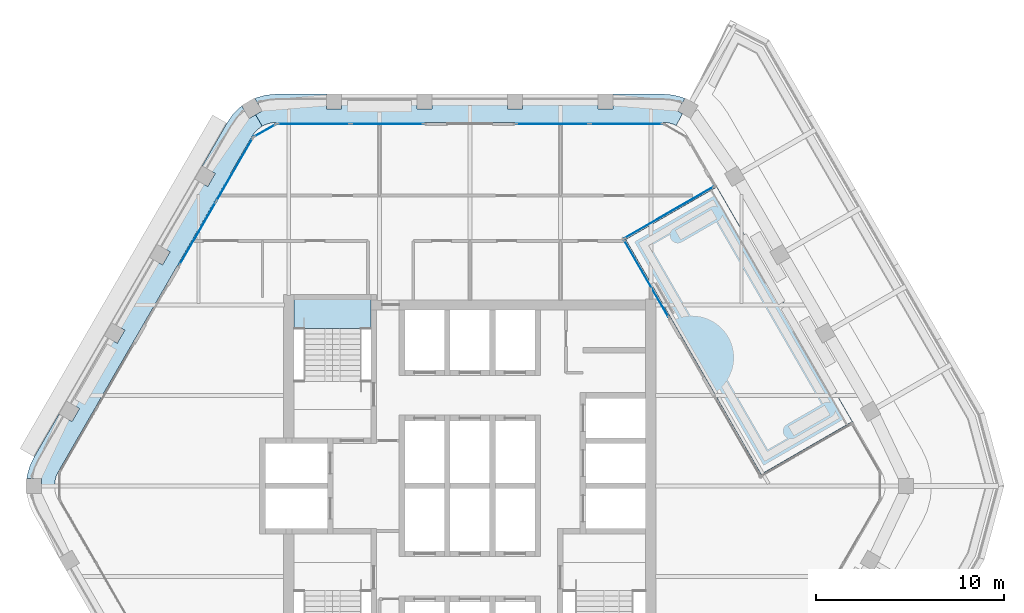
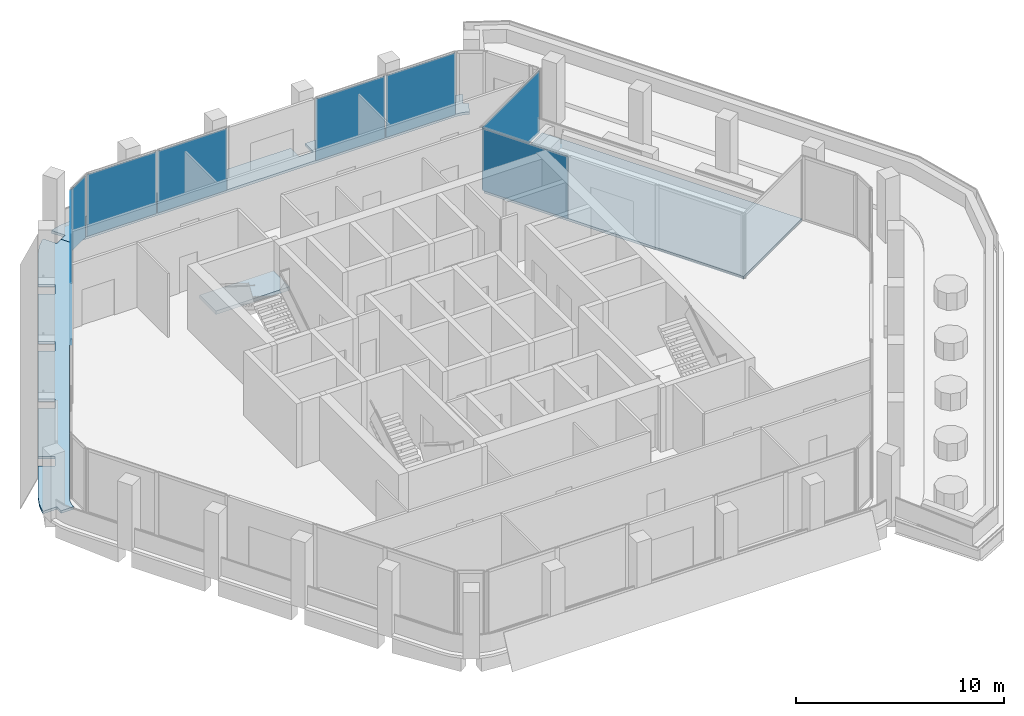
# One storey, part 9 of 17: 9 plates, 4 slabs, 7 elements without a shape of their own.
"""IFC4 building model written with IfcOpenShell, lengths in metres."""

from ifc_helpers import new_model, si_unit, direction, frame, origin, origin_2d, place, context, subcontext, project, spatial, polyline, rectangle, outline, extrude, material, layer, layer_set, type_object, element, aggregate, save


model = new_model("IFC4")

# Units and contexts
model_context = context("Model", 3, precision=1e-05, world=origin(), true_north=direction((0.0, 1.0)))
body_context = subcontext(model_context, "Body", "Model", "MODEL_VIEW")
ifc_project = project(units=[si_unit("LENGTHUNIT", "METRE"), si_unit("AREAUNIT", "SQUARE_METRE"), si_unit("VOLUMEUNIT", "CUBIC_METRE"), si_unit("PLANEANGLEUNIT", "RADIAN"), si_unit("MASSUNIT", "GRAM", prefix="KILO")], contexts=[model_context])

# Site, building, storey
site_placement = place(None, origin())
site = spatial("IfcSite", under=ifc_project, at=site_placement, CompositionType="ELEMENT")
building_placement = place(site_placement, origin())
building = spatial("IfcBuilding", under=site, at=building_placement, Name="Kolab Exchange Tower", CompositionType="ELEMENT")
storey_placement = place(building_placement, frame((0.0, 0.0, 285.199951171875)))
storey = spatial("IfcBuildingStorey", under=building, at=storey_placement, Name="L64", CompositionType="ELEMENT", Elevation=285.199951171875)

# Slabs
ifc_material_1 = material(Name="Concrete C35/45", Category="concrete")
ifc_layer_1 = layer(ifc_material_1, 0.14990234375)
ifc_layer_set_1 = layer_set([ifc_layer_1], Name="Concrete C35/45")
slab_type_1 = type_object("IfcSlabType", Name="LOGGIA SLAB 150", PredefinedType="FLOOR", material=ifc_layer_set_1)
slab_1_placement = place(storey_placement, frame((0.0, 0.0, -0.14990234375)))
element("IfcSlab", 1, at=slab_1_placement, inside=storey, type_object=slab_type_1, Name="slab/L64/loggia/0-0", PredefinedType="FLOOR", context=body_context, shape_type="SweptSolid", body=[
    extrude(outline(polyline([(10.781005859375, 19.194091796875), (10.948974609375, 19.11572265625), (11.271728515625, 19.745361328125), (11.021484375, 19.889892578125), (11.404052734375, 20.552490234375), (11.2939453125, 20.603759765625), (10.788818359375, 20.739013671875), (10.26806640625, 20.78466796875), (7.60009765625, 20.78466796875), (7.60009765625, 19.984619140625), (6.800048828125, 19.984619140625), (6.800048828125, 20.78466796875), (2.800048828125, 20.78466796875), (2.800048828125, 19.984619140625), (2.0, 19.984619140625), (2.0, 20.78466796875), (-2.0, 20.78466796875), (-2.0, 19.984619140625), (-2.800048828125, 19.984619140625), (-2.800048828125, 20.78466796875), (-6.800048828125, 20.78466796875), (-6.800048828125, 19.984619140625), (-7.60009765625, 19.984619140625), (-7.60009765625, 20.78466796875), (-10.26806640625, 20.78466796875), (-10.788818359375, 20.739013671875), (-11.2939453125, 20.603759765625), (-11.404052734375, 20.552490234375), (-11.021484375, 19.889892578125), (-11.367919921875, 19.68994140625), (-11.01806640625, 19.083740234375), (-10.781005859375, 19.194091796875), (-10.5283203125, 19.26171875), (-10.26806640625, 19.28466796875), (10.26806640625, 19.28466796875), (10.5283203125, 19.26171875), (10.781005859375, 19.194091796875)])), origin(), (0.0, 0.0, 1.0), 0.14990234375),
])
slab_2_placement = place(storey_placement, frame((0.0, 0.0, -0.14990234375)))
element("IfcSlab", 2, at=slab_2_placement, inside=storey, type_object=slab_type_1, Name="slab/L64/loggia/5-0", PredefinedType="FLOOR", context=body_context, shape_type="SweptSolid", body=[
    extrude(outline(polyline([(-11.232177734375, 18.93359375), (-11.01806640625, 19.083740234375), (-11.367919921875, 19.68994140625), (-11.71435546875, 19.48974609375), (-12.096923828125, 20.15234375), (-12.1962890625, 20.082763671875), (-12.566162109375, 19.712890625), (-12.865966796875, 19.28466796875), (-14.199951171875, 16.97412109375), (-13.507080078125, 16.57421875), (-13.9072265625, 15.88134765625), (-14.60009765625, 16.28125), (-16.60009765625, 12.817138671875), (-15.9072265625, 12.417236328125), (-16.30712890625, 11.724365234375), (-17.0, 12.124267578125), (-19.0, 8.66015625), (-18.30712890625, 8.26025390625), (-18.707275390625, 7.5673828125), (-19.39990234375, 7.967529296875), (-21.39990234375, 4.50341796875), (-20.707275390625, 4.103271484375), (-21.107177734375, 3.410400390625), (-21.800048828125, 3.810546875), (-23.134033203125, 1.5), (-23.35498046875, 1.026123046875), (-23.490234375, 0.52099609375), (-23.5009765625, 0.39990234375), (-22.73583984375, 0.39990234375), (-22.73583984375, 0.0), (-22.035888671875, 0.0), (-22.01318359375, 0.260498046875), (-21.945556640625, 0.512939453125), (-21.8349609375, 0.75), (-11.56689453125, 18.53466796875), (-11.4169921875, 18.748779296875), (-11.232177734375, 18.93359375)])), origin(), (0.0, 0.0, 1.0), 0.14990234375),
])

# Stair, slab
ifc_material_2 = material(Name="Concrete C50/60", Category="concrete")
stair_type = type_object("IfcStairType", Name="STAIR ST1 RISER 177.3", PredefinedType="HALF_TURN_STAIR", material=ifc_material_2)
stair_placement = place(storey_placement, origin())
stair = element("IfcStair", 3, at=stair_placement, inside=storey, type_object=stair_type, Name="Stair 1", PredefinedType="HALF_TURN_STAIR")
ifc_layer_2 = layer(ifc_material_2, 0.199951171875)
ifc_layer_set_2 = layer_set([ifc_layer_2], Name="Concrete C50/60")
slab_type_2 = type_object("IfcSlabType", Name="STAIR LANDING 200", PredefinedType="LANDING", material=ifc_layer_set_2)
slab_3_placement = place(storey_placement, frame((0.0, 0.0, 1.75)))
slab_3 = element("IfcSlab", 4, at=slab_3_placement, type_object=slab_type_2, Name="ST1 landing 2", PredefinedType="LANDING", context=body_context, shape_type="SweptSolid", body=[
    extrude(outline(polyline([(-9.324951171875, 8.35009765625), (-5.25, 8.35009765625), (-5.25, 9.909912109375), (-9.324951171875, 9.909912109375), (-9.324951171875, 8.35009765625)])), origin(), (0.0, 0.0, 1.0), 0.199951171875),
])
aggregate(stair, [slab_3])

# Slab
ifc_layer_3 = layer(ifc_material_1, 0.14990234375)
ifc_layer_set_3 = layer_set([ifc_layer_3], Name="Concrete C35/45")
slab_type_3 = type_object("IfcSlabType", Name="TERRACE SLAB 150 PLANTED", PredefinedType="ROOF", material=ifc_layer_set_3)
slab_4_placement = place(storey_placement, frame((0.0, 0.0, -0.14990234375)))
element("IfcSlab", 5, at=slab_4_placement, inside=storey, type_object=slab_type_3, Name="Roof terrace", PredefinedType="ROOF", context=body_context, shape_type="SweptSolid", body=[
    extrude(outline(polyline([(13.10107421875, 15.877685546875), (8.251220703125, 13.07763671875), (15.451171875, 0.60693359375), (20.301025390625, 3.406982421875), (13.10107421875, 15.877685546875)])), origin(), (0.0, 0.0, 1.0), 0.14990234375),
])

# Curtain wall, plates
ifc_material_3 = material(Name="Aluminium EN AW-6063 T6", Category="aluminium")
curtain_wall_type = type_object("IfcCurtainWallType", Name="UNITISED HIGH ZONE CURTAIN WALL", PredefinedType="NOTDEFINED", material=ifc_material_3)
curtain_wall_1_placement = place(storey_placement, origin())
curtain_wall_1 = element("IfcCurtainWall", 6, at=curtain_wall_1_placement, inside=storey, type_object=curtain_wall_type, Name="cw/L64/F1-1", PredefinedType="NOTDEFINED")
ifc_material_4 = material(Name="Clear insulated glazing unit", Category="glass")
ifc_layer_4 = layer(ifc_material_4, 0.030029296875)
ifc_layer_set_4 = layer_set([ifc_layer_4], Name="Clear insulated glazing unit")
plate_type = type_object("IfcPlateType", Name="UNITISED HIGH ZONE GLASS PANEL 30", PredefinedType="CURTAIN_PANEL", material=ifc_layer_set_4)
plate_1_placement = place(storey_placement, frame((-8.285888671875, 19.20458984375, 0.06005859375), z_axis=(0.0, 0.0, 1.0), x_axis=(1.0, 0.0, 0.0)))
plate_1 = element("IfcPlate", 7, at=plate_1_placement, type_object=plate_type, Name="CW4 panel 1.1", PredefinedType="CURTAIN_PANEL", context=body_context, shape_type="SweptSolid", body=[
    extrude(rectangle(XDim=3.843994140625, YDim=0.030029296875, at=origin_2d()), origin(), (0.0, 0.0, 1.0), 3.6298828125),
])
plate_2_placement = place(storey_placement, frame((-4.382080078125, 19.20458984375, 0.06005859375), z_axis=(0.0, 0.0, 1.0), x_axis=(1.0, 0.0, 0.0)))
plate_2 = element("IfcPlate", 8, at=plate_2_placement, type_object=plate_type, Name="CW4 panel 2.1", PredefinedType="CURTAIN_PANEL", context=body_context, shape_type="SweptSolid", body=[
    extrude(rectangle(XDim=3.843994140625, YDim=0.030029296875, at=origin_2d()), origin(), (0.0, 0.0, 1.0), 3.6298828125),
])
aggregate(curtain_wall_1, [plate_1, plate_2])

curtain_wall_2_placement = place(storey_placement, origin())
curtain_wall_2 = element("IfcCurtainWall", 9, at=curtain_wall_2_placement, inside=storey, type_object=curtain_wall_type, Name="cw/L64/F1-2", PredefinedType="NOTDEFINED")
plate_3_placement = place(storey_placement, frame((4.382080078125, 19.20458984375, 0.06005859375), z_axis=(0.0, 0.0, 1.0), x_axis=(1.0, 0.0, 0.0)))
plate_3 = element("IfcPlate", 10, at=plate_3_placement, type_object=plate_type, Name="CW4 panel 1.1", PredefinedType="CURTAIN_PANEL", context=body_context, shape_type="SweptSolid", body=[
    extrude(rectangle(XDim=3.843994140625, YDim=0.030029296875, at=origin_2d()), origin(), (0.0, 0.0, 1.0), 3.6298828125),
])
plate_4_placement = place(storey_placement, frame((8.285888671875, 19.20458984375, 0.06005859375), z_axis=(0.0, 0.0, 1.0), x_axis=(1.0, 0.0, 0.0)))
plate_4 = element("IfcPlate", 11, at=plate_4_placement, type_object=plate_type, Name="CW4 panel 2.1", PredefinedType="CURTAIN_PANEL", context=body_context, shape_type="SweptSolid", body=[
    extrude(rectangle(XDim=3.843994140625, YDim=0.030029296875, at=origin_2d()), origin(), (0.0, 0.0, 1.0), 3.6298828125),
])
aggregate(curtain_wall_2, [plate_3, plate_4])

# Curtain wall, plate
curtain_wall_3_placement = place(storey_placement, origin())
curtain_wall_3 = element("IfcCurtainWall", 12, at=curtain_wall_3_placement, inside=storey, type_object=curtain_wall_type, Name="cw/L64/F2-rl-1", PredefinedType="NOTDEFINED")
plate_5_placement = place(storey_placement, frame((10.56689453125, 14.507080078125, 0.06005859375), z_axis=(0.0, 0.0, 1.0), x_axis=(-0.866025392126, -0.500000020194, 0.0)))
plate_5 = element("IfcPlate", 13, at=plate_5_placement, type_object=plate_type, Name="CW4 panel 1.1", PredefinedType="CURTAIN_PANEL", context=body_context, shape_type="SweptSolid", body=[
    extrude(rectangle(XDim=5.47998046875, YDim=0.030029296875, at=origin_2d()), origin(), (0.0, 0.0, 1.0), 3.6298828125),
])
aggregate(curtain_wall_3, [plate_5])

curtain_wall_4_placement = place(storey_placement, origin())
curtain_wall_4 = element("IfcCurtainWall", 14, at=curtain_wall_4_placement, inside=storey, type_object=curtain_wall_type, Name="cw/L64/F2-back-1", PredefinedType="NOTDEFINED")
plate_6_placement = place(storey_placement, frame((9.355224609375, 11.00537109375, 0.06005859375), z_axis=(0.0, 0.0, 1.0), x_axis=(0.500000047915, -0.866025376121, 0.0)))
plate_6 = element("IfcPlate", 15, at=plate_6_placement, type_object=plate_type, Name="CW4 panel 1.1", PredefinedType="CURTAIN_PANEL", context=body_context, shape_type="SweptSolid", body=[
    extrude(rectangle(XDim=4.7333984375, YDim=0.030029296875, at=origin_2d()), origin(), (0.0, 0.0, 1.0), 3.6298828125),
])
aggregate(curtain_wall_4, [plate_6])

# Curtain wall, plates
curtain_wall_5_placement = place(storey_placement, origin())
curtain_wall_5 = element("IfcCurtainWall", 16, at=curtain_wall_5_placement, inside=storey, type_object=curtain_wall_type, Name="cw/L64/F6-2", PredefinedType="NOTDEFINED")
plate_7_placement = place(storey_placement, frame((-14.440673828125, 13.397216796875, 0.06005859375), z_axis=(0.0, 0.0, 1.0), x_axis=(0.500000031681, 0.866025385493, 0.0)))
plate_7 = element("IfcPlate", 17, at=plate_7_placement, type_object=plate_type, Name="CW4 panel 1.1", PredefinedType="CURTAIN_PANEL", context=body_context, shape_type="SweptSolid", body=[
    extrude(rectangle(XDim=3.843994140625, YDim=0.030029296875, at=origin_2d()), origin(), (0.0, 0.0, 1.0), 3.6298828125),
])
plate_8_placement = place(storey_placement, frame((-12.48876953125, 16.778076171875, 0.06005859375), z_axis=(0.0, 0.0, 1.0), x_axis=(0.500000031681, 0.866025385493, 0.0)))
plate_8 = element("IfcPlate", 18, at=plate_8_placement, type_object=plate_type, Name="CW4 panel 2.1", PredefinedType="CURTAIN_PANEL", context=body_context, shape_type="SweptSolid", body=[
    extrude(rectangle(XDim=3.843994140625, YDim=0.030029296875, at=origin_2d()), origin(), (0.0, 0.0, 1.0), 3.6298828125),
])
aggregate(curtain_wall_5, [plate_7, plate_8])

# Curtain wall, plate
curtain_wall_6_placement = place(storey_placement, origin())
curtain_wall_6 = element("IfcCurtainWall", 19, at=curtain_wall_6_placement, inside=storey, type_object=curtain_wall_type, Name="cw/L64/F6F1-corner", PredefinedType="NOTDEFINED")
plate_9_placement = place(storey_placement, frame((-10.8828125, 18.849609375, 0.06005859375), z_axis=(0.0, 0.0, 1.0), x_axis=(0.866025390869, 0.50000002237, 0.0)))
plate_9 = element("IfcPlate", 20, at=plate_9_placement, type_object=plate_type, Name="CW4 panel 1.1", PredefinedType="CURTAIN_PANEL", context=body_context, shape_type="SweptSolid", body=[
    extrude(rectangle(XDim=1.300048828125, YDim=0.030029296875, at=origin_2d()), origin(), (0.0, 0.0, 1.0), 3.6298828125),
])
aggregate(curtain_wall_6, [plate_9])

save(model, "model.ifc")
